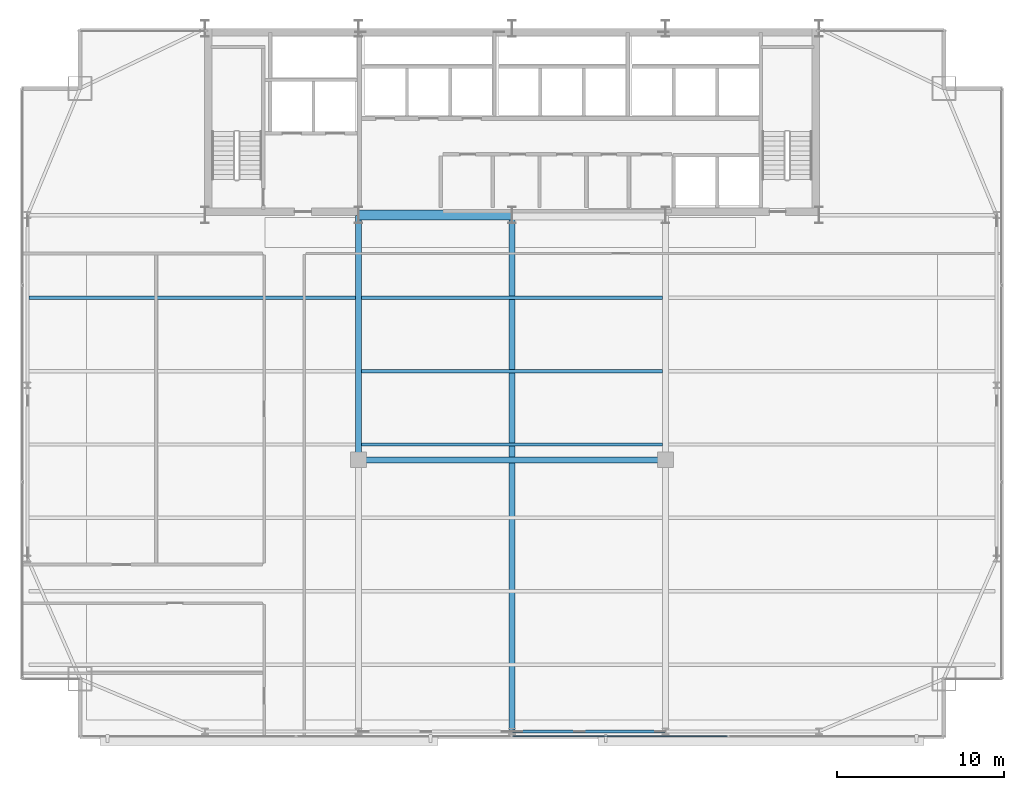
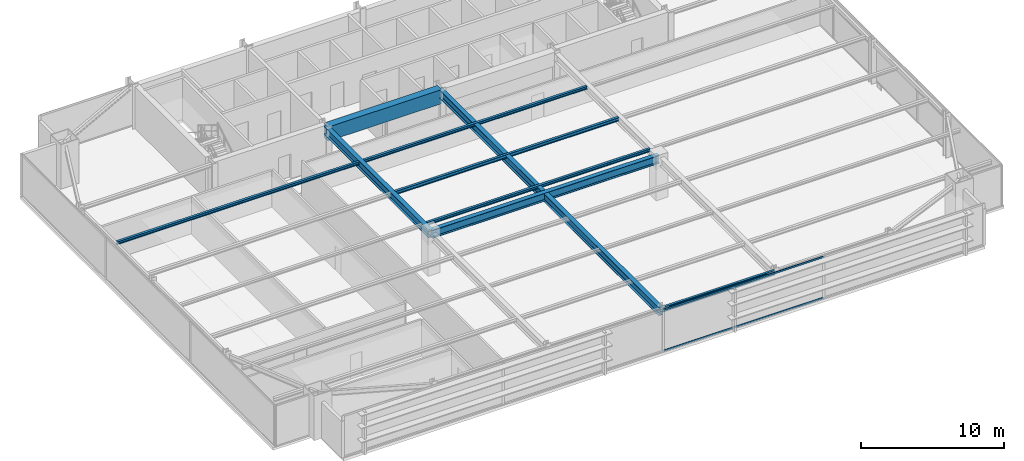
# One storey, part 11 of 32: 9 beams, 2 members, 1 element without a shape of its own.
"""IFC4 building model written with IfcOpenShell, lengths in metres."""

from ifc_helpers import new_model, si_unit, direction, frame, origin, origin_2d, place, context, subcontext, project, spatial, rectangle, hollow_rectangle, i_section, extrude, source, transform, mapped, material, layer, layer_set, material_profile, profile_set, type_object, type_shapes, element, aggregate, save


model = new_model("IFC4")

# Units and contexts
model_context = context("Model", 3, precision=1e-05, world=origin(), true_north=direction((0.0, 1.0)))
body_context = subcontext(model_context, "Body", "Model", "MODEL_VIEW")
ifc_project = project(units=[si_unit("LENGTHUNIT", "METRE"), si_unit("AREAUNIT", "SQUARE_METRE"), si_unit("VOLUMEUNIT", "CUBIC_METRE"), si_unit("PLANEANGLEUNIT", "RADIAN"), si_unit("MASSUNIT", "GRAM", prefix="KILO")], contexts=[model_context])

# Site, building, storey
site_placement = place(None, origin())
site = spatial("IfcSite", under=ifc_project, at=site_placement, CompositionType="ELEMENT")
building_placement = place(site_placement, origin())
building = spatial("IfcBuilding", under=site, at=building_placement, Name="Varnel Quay Broadcast Tower", CompositionType="ELEMENT")
storey_placement = place(building_placement, frame((0.0, 0.0, 90.800048828125)))
storey = spatial("IfcBuildingStorey", under=building, at=storey_placement, Name="L21", CompositionType="ELEMENT", Elevation=90.800048828125)

# Beams
ifc_material_1 = material(Name="Structural Steel CSA G40.21 350W", Category="steel")
ifc_material_profile_1 = material_profile(ifc_material_1, i_section(OverallWidth=0.180908203125, OverallDepth=0.4169921875, WebThickness=0.010986328125, FlangeThickness=0.018310546875, FilletRadius=0.011962890625, at=origin_2d()), Name="W410X85")
ifc_profile_set_1 = profile_set([ifc_material_profile_1], Name="Structural Steel CSA G40.21 350W")
beam_type_1 = type_object("IfcBeamType", Name="Beam_W410X85", PredefinedType="SPANDREL", material=ifc_profile_set_1)
shared_shape_1 = source(origin(), body_context, "Body", "SweptSolid", [
    extrude(i_section(OverallWidth=0.180908203125, OverallDepth=0.4169921875, WebThickness=0.010986328125, FlangeThickness=0.018310546875, FilletRadius=0.011962890625, at=origin_2d()), origin(), (0.0, 0.0, 1.0), 9.159912109375),
])
type_shapes(beam_type_1, [shared_shape_1])
beam_1_placement = place(storey_placement, frame((34.02001953125, 4.64990234375, 3.341552734375), z_axis=(1.0, 0.0, 0.0), x_axis=(0.0, 1.0, 0.0)))
element("IfcBeam", 1, at=beam_1_placement, inside=storey, type_object=beam_type_1, Name="L21 South Spandrel TC-S3-TC-S4", PredefinedType="SPANDREL", context=body_context, shape_type="MappedRepresentation", body=[
    mapped(shared_shape_1, transform((0.0, 0.0, 0.0), x_axis=(1.0, 0.0, 0.0), y_axis=(0.0, 1.0, 0.0), z_axis=(0.0, 0.0, 1.0), scale=1.0)),
])
ifc_material_2 = material(Name="Concrete CSA A23.3 C60/75", Category="concrete")
ifc_material_profile_2 = material_profile(ifc_material_2, rectangle(XDim=0.60009765625, YDim=1.199951171875, at=origin_2d()), Name="RC600X1200")
ifc_profile_set_2 = profile_set([ifc_material_profile_2], Name="Concrete CSA A23.3 C60/75")
beam_type_2 = type_object("IfcBeamType", Name="Beam_RC600X1200", PredefinedType="BEAM", material=ifc_profile_set_2)
shared_shape_2 = source(origin(), body_context, "Body", "SweptSolid", [
    extrude(rectangle(XDim=0.60009765625, YDim=1.199951171875, at=origin_2d()), origin(), (0.0, 0.0, 1.0), 9.159912109375),
])
type_shapes(beam_type_2, [shared_shape_2])
beam_2_placement = place(storey_placement, frame((24.820068359375, 35.60009765625, 2.949951171875), z_axis=(1.0, 0.0, 0.0), x_axis=(0.0, 1.0, 0.0)))
element("IfcBeam", 2, at=beam_2_placement, inside=storey, type_object=beam_type_2, Name="L21 Core Coupling Beam W", PredefinedType="BEAM", context=body_context, shape_type="MappedRepresentation", body=[
    mapped(shared_shape_2, transform((0.0, 0.0, 0.0), x_axis=(1.0, 0.0, 0.0), y_axis=(0.0, 1.0, 0.0), z_axis=(0.0, 0.0, 1.0), scale=1.0)),
])
ifc_material_profile_3 = material_profile(ifc_material_1, i_section(OverallWidth=0.35498046875, OverallDepth=0.695068359375, WebThickness=0.015380859375, FlangeThickness=0.02490234375, FilletRadius=0.01806640625, at=origin_2d()), Name="W690X217")
ifc_profile_set_3 = profile_set([ifc_material_profile_3], Name="Structural Steel CSA G40.21 350W")
beam_type_3 = type_object("IfcBeamType", Name="Girder_W690X217", PredefinedType="BEAM", material=ifc_profile_set_3)
shared_shape_3 = source(origin(), body_context, "Body", "SweptSolid", [
    extrude(i_section(OverallWidth=0.35498046875, OverallDepth=0.695068359375, WebThickness=0.015380859375, FlangeThickness=0.02490234375, FilletRadius=0.01806640625, at=origin_2d()), origin(), (0.0, 0.0, 1.0), 14.630126953125),
])
beam_3_placement = place(storey_placement, frame((24.800048828125, 20.949951171875, 3.202392578125), z_axis=(0.0, 1.0, 0.0), x_axis=(-1.0, 0.0, 0.0)))
element("IfcBeam", 3, at=beam_3_placement, inside=storey, type_object=beam_type_3, Name="L21 Primary Girder IC-01-CC-S2", PredefinedType="BEAM", context=body_context, shape_type="MappedRepresentation", body=[
    mapped(shared_shape_3, transform((0.0, 0.0, 0.0), x_axis=(1.0, 0.0, 0.0), y_axis=(0.0, 1.0, 0.0), z_axis=(0.0, 0.0, 1.0), scale=1.0)),
])
shared_shape_4 = source(origin(), body_context, "Body", "SweptSolid", [
    extrude(i_section(OverallWidth=0.35498046875, OverallDepth=0.695068359375, WebThickness=0.015380859375, FlangeThickness=0.02490234375, FilletRadius=0.01806640625, at=origin_2d()), origin(), (0.0, 0.0, 1.0), 18.35986328125),
])
beam_4_placement = place(storey_placement, frame((24.820068359375, 20.929931640625, 3.202392578125), z_axis=(1.0, 0.0, 0.0), x_axis=(0.0, 1.0, 0.0)))
element("IfcBeam", 4, at=beam_4_placement, inside=storey, type_object=beam_type_3, Name="L21 Interior Spine Girder", PredefinedType="BEAM", context=body_context, shape_type="MappedRepresentation", body=[
    mapped(shared_shape_4, transform((0.0, 0.0, 0.0), x_axis=(1.0, 0.0, 0.0), y_axis=(0.0, 1.0, 0.0), z_axis=(0.0, 0.0, 1.0), scale=1.0)),
])
shared_shape_5 = source(origin(), body_context, "Body", "SweptSolid", [
    extrude(i_section(OverallWidth=0.35498046875, OverallDepth=0.695068359375, WebThickness=0.015380859375, FlangeThickness=0.02490234375, FilletRadius=0.01806640625, at=origin_2d()), origin(), (0.0, 0.0, 1.0), 30.91015625),
])
type_shapes(beam_type_3, [shared_shape_3, shared_shape_4, shared_shape_5])
beam_5_placement = place(storey_placement, frame((34.0, 4.669921875, 3.202392578125), z_axis=(0.0, 1.0, 0.0), x_axis=(-1.0, 0.0, 0.0)))
element("IfcBeam", 5, at=beam_5_placement, inside=storey, type_object=beam_type_3, Name="L21 Central Bay Girder", PredefinedType="BEAM", context=body_context, shape_type="MappedRepresentation", body=[
    mapped(shared_shape_5, transform((0.0, 0.0, 0.0), x_axis=(1.0, 0.0, 0.0), y_axis=(0.0, 1.0, 0.0), z_axis=(0.0, 0.0, 1.0), scale=1.0)),
])
ifc_material_profile_4 = material_profile(ifc_material_1, i_section(OverallWidth=0.202880859375, OverallDepth=0.302978515625, WebThickness=0.007568359375, FlangeThickness=0.01318359375, FilletRadius=0.011962890625, at=origin_2d()), Name="W310X60")
ifc_profile_set_4 = profile_set([ifc_material_profile_4], Name="Structural Steel CSA G40.21 350W")
beam_type_4 = type_object("IfcBeamType", Name="Beam_W310X60", PredefinedType="JOIST", material=ifc_profile_set_4)
shared_shape_6 = source(origin(), body_context, "Body", "SweptSolid", [
    extrude(i_section(OverallWidth=0.202880859375, OverallDepth=0.302978515625, WebThickness=0.007568359375, FlangeThickness=0.01318359375, FilletRadius=0.011962890625, at=origin_2d()), origin(), (0.0, 0.0, 1.0), 18.05517578125),
])
type_shapes(beam_type_4, [shared_shape_6])
beam_6_placement = place(storey_placement, frame((24.972412109375, 26.25, 3.3984375), z_axis=(1.0, 0.0, 0.0), x_axis=(0.0, 1.0, 0.0)))
element("IfcBeam", 6, at=beam_6_placement, inside=storey, type_object=beam_type_4, Name="L21 Central Floor Joist 5", PredefinedType="JOIST", context=body_context, shape_type="MappedRepresentation", body=[
    mapped(shared_shape_6, transform((0.0, 0.0, 0.0), x_axis=(1.0, 0.0, 0.0), y_axis=(0.0, 1.0, 0.0), z_axis=(0.0, 0.0, 1.0), scale=1.0)),
])
ifc_material_profile_5 = material_profile(ifc_material_1, i_section(OverallWidth=0.201904296875, OverallDepth=0.2470703125, WebThickness=0.00732421875, FlangeThickness=0.010986328125, FilletRadius=0.010986328125, at=origin_2d()), Name="W250X49")
ifc_profile_set_5 = profile_set([ifc_material_profile_5], Name="Structural Steel CSA G40.21 350W")
beam_type_5 = type_object("IfcBeamType", Name="Beam_W250X49", PredefinedType="JOIST", material=ifc_profile_set_5)
shared_shape_7 = source(origin(), body_context, "Body", "SweptSolid", [
    extrude(i_section(OverallWidth=0.201904296875, OverallDepth=0.2470703125, WebThickness=0.00732421875, FlangeThickness=0.010986328125, FilletRadius=0.010986328125, at=origin_2d()), origin(), (0.0, 0.0, 1.0), 19.592041015625),
])
beam_7_placement = place(storey_placement, frame((5.035400390625, 30.64990234375, 3.426513671875), z_axis=(1.0, 0.0, 0.0), x_axis=(0.0, 1.0, 0.0)))
element("IfcBeam", 7, at=beam_7_placement, inside=storey, type_object=beam_type_5, Name="L21 West Floor Joist 6", PredefinedType="JOIST", context=body_context, shape_type="MappedRepresentation", body=[
    mapped(shared_shape_7, transform((0.0, 0.0, 0.0), x_axis=(1.0, 0.0, 0.0), y_axis=(0.0, 1.0, 0.0), z_axis=(0.0, 0.0, 1.0), scale=1.0)),
])
shared_shape_8 = source(origin(), body_context, "Body", "SweptSolid", [
    extrude(i_section(OverallWidth=0.201904296875, OverallDepth=0.2470703125, WebThickness=0.00732421875, FlangeThickness=0.010986328125, FilletRadius=0.010986328125, at=origin_2d()), origin(), (0.0, 0.0, 1.0), 18.05517578125),
])
type_shapes(beam_type_5, [shared_shape_7, shared_shape_8])
for number, where, z_axis, x_axis, name in (
    (8, (24.972412109375, 21.85009765625, 3.426513671875), (1.0, 0.0, 0.0), (0.0, 1.0, 0.0), "L21 Central Floor Joist 4"),
    (9, (24.972412109375, 30.64990234375, 3.426513671875), (1.0, 0.0, 0.0), (0.0, 1.0, 0.0), "L21 Central Floor Joist 6"),
):
    element("IfcBeam", number, at=place(storey_placement, frame(where, z_axis=z_axis, x_axis=x_axis)), inside=storey, type_object=beam_type_5, Name=name, PredefinedType="JOIST", context=body_context, shape_type="MappedRepresentation", body=[
        mapped(shared_shape_8, transform((0.0, 0.0, 0.0), x_axis=(1.0, 0.0, 0.0), y_axis=(0.0, 1.0, 0.0), z_axis=(0.0, 0.0, 1.0), scale=1.0)),
    ])

# Curtain wall, members
ifc_material_3 = material(Name="Anodised Bronze Aluminium 6063-T6", Category="aluminium")
ifc_layer = layer(ifc_material_3, 0.18994140625, Name="Anodised Bronze Aluminium 6063-T6")
ifc_layer_set = layer_set([ifc_layer], Name="Anodised Bronze Aluminium 6063-T6")
curtain_wall_type = type_object("IfcCurtainWallType", Name="CW_LowerTower", PredefinedType="NOTDEFINED", material=ifc_layer_set)
curtain_wall_placement = place(storey_placement, origin())
curtain_wall = element("IfcCurtainWall", 10, at=curtain_wall_placement, inside=storey, type_object=curtain_wall_type, Name="L21 South Unitised Curtain Wall 1", PredefinedType="NOTDEFINED")
ifc_material_profile_6 = material_profile(ifc_material_3, hollow_rectangle(XDim=0.06005859375, YDim=0.14501953125, WallThickness=0.00341796875, at=origin_2d()), Name="ALU60X145X3.5")
ifc_profile_set_6 = profile_set([ifc_material_profile_6], Name="Anodised Bronze Aluminium 6063-T6")
member_type = type_object("IfcMemberType", Name="Tran_CWS-02", PredefinedType="USERDEFINED", material=ifc_profile_set_6)
shared_shape_9 = source(origin(), body_context, "Body", "SweptSolid", [
    extrude(hollow_rectangle(XDim=0.06005859375, YDim=0.14501953125, WallThickness=0.00341796875, at=origin_2d()), origin(), (0.0, 0.0, 1.0), 12.880126953125),
])
type_shapes(member_type, [shared_shape_9])
member_1_placement = place(storey_placement, frame((34.034912109375, 4.35009765625, 0.030029296875), z_axis=(1.0, 0.0, 0.0), x_axis=(0.0, 1.0, 0.0)))
member_1 = element("IfcMember", 11, at=member_1_placement, type_object=member_type, Name="CWS-02 transom 3.1", ObjectType="TRANSOM", PredefinedType="USERDEFINED", context=body_context, shape_type="MappedRepresentation", body=[
    mapped(shared_shape_9, transform((0.0, 0.0, 0.0), x_axis=(1.0, 0.0, 0.0), y_axis=(0.0, 1.0, 0.0), z_axis=(0.0, 0.0, 1.0), scale=1.0)),
])
member_2_placement = place(storey_placement, frame((34.034912109375, 4.35009765625, 3.52001953125), z_axis=(1.0, 0.0, 0.0), x_axis=(0.0, 1.0, 0.0)))
member_2 = element("IfcMember", 12, at=member_2_placement, type_object=member_type, Name="CWS-02 transom 3.2", ObjectType="TRANSOM", PredefinedType="USERDEFINED", context=body_context, shape_type="MappedRepresentation", body=[
    mapped(shared_shape_9, transform((0.0, 0.0, 0.0), x_axis=(1.0, 0.0, 0.0), y_axis=(0.0, 1.0, 0.0), z_axis=(0.0, 0.0, 1.0), scale=1.0)),
])
aggregate(curtain_wall, [member_1, member_2])

save(model, "model.ifc")
